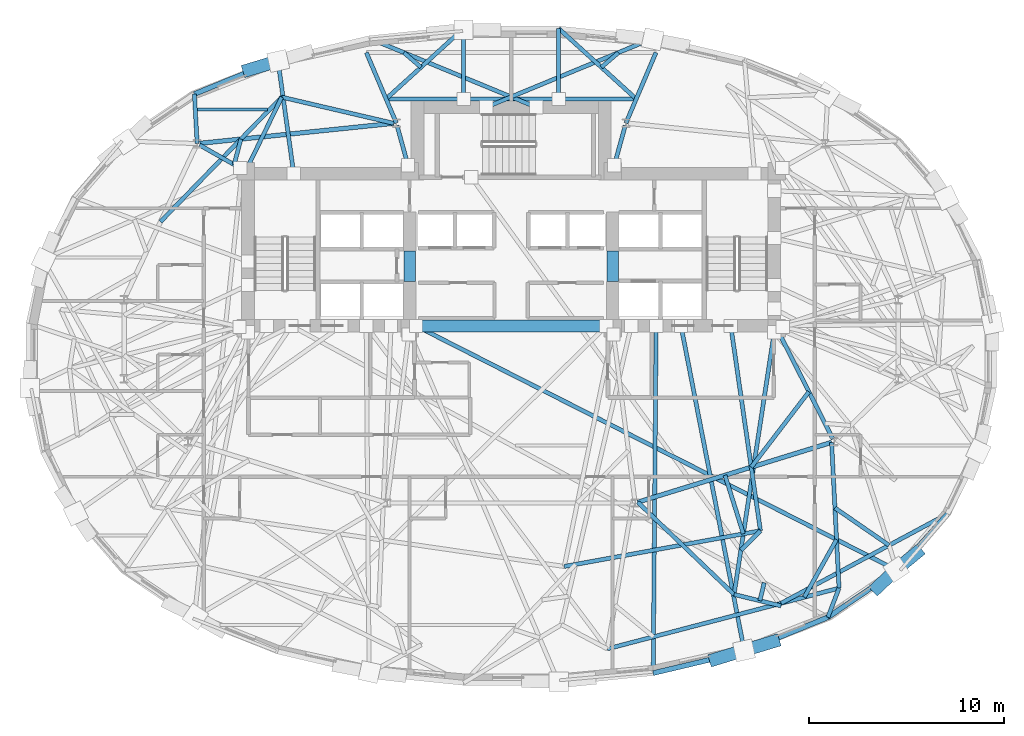
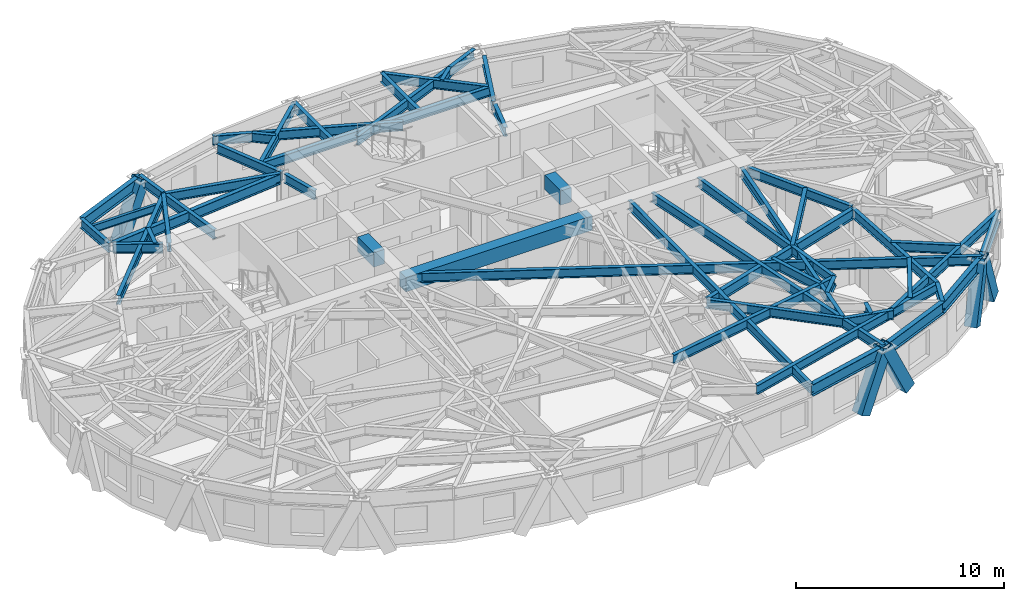
# One storey, part 3 of 14: 50 beams, 5 members.
"""IFC4 building model written with IfcOpenShell, lengths in metres."""

import ifcopenshell
import ifcopenshell.guid

model = None  # the IFC model being written
_history = None  # IfcOwnerHistory: only IFC2X3 demands one
_inside = {}  # id of a spatial element -> (the spatial element, [elements in it])
_under = {}  # id of a project, library or spatial element -> (it, [spatial elements below it])
_declared = {}  # id of a project -> (the project, [libraries it declares])
_typed = {}  # id of a type object -> (the type object, [elements of that type])
_made_of = {}  # id of a material, layer set ... -> (it, [elements and type objects made of it])


def new_model(schema):
    """Start an empty IFC model of exactly this schema.

    Asked for "IFC4X3", IfcOpenShell would pick the latest addendum, in which some entities
    have other attributes; the version numbers below select the first issue.
    IFC2X3 requires an IfcOwnerHistory on every rooted entity: one is made here for all.
    """
    global model, _history
    if schema == "IFC4X3":
        model = ifcopenshell.file(schema_version=(4, 3, 0, 0))
    else:
        model = ifcopenshell.file(schema=schema)
    _inside.clear()
    _under.clear()
    _declared.clear()
    _typed.clear()
    _made_of.clear()
    _history = None
    if model.schema == "IFC2X3":
        org = make("IfcOrganization", Name="unknown")
        user = make(
            "IfcPersonAndOrganization",
            ThePerson=make("IfcPerson", FamilyName="unknown"),
            TheOrganization=org,
        )
        app = make(
            "IfcApplication",
            ApplicationDeveloper=org,
            Version="unknown",
            ApplicationFullName="unknown",
            ApplicationIdentifier="unknown",
        )
        _history = make(
            "IfcOwnerHistory",
            OwningUser=user,
            OwningApplication=app,
            ChangeAction="ADDED",
            CreationDate=0,
        )
    return model


def make(cls, **values):
    """One entity of the class cls with the attributes given. An attribute that is None is left unset."""
    return model.create_entity(
        cls, **{name: value for name, value in values.items() if value is not None}
    )


def rooted(cls, **values):
    """An entity with a GlobalId (a new one), such as an element, a storey or a relation."""
    return make(cls, GlobalId=ifcopenshell.guid.new(), OwnerHistory=_history, **values)


def si_unit(unit_type, name, prefix=None):
    """IfcSIUnit, for example si_unit("LENGTHUNIT", "METRE", prefix="MILLI")."""
    return make("IfcSIUnit", UnitType=unit_type, Prefix=prefix, Name=name)


def assignment(units):
    """IfcUnitAssignment: the units of a project."""
    return None if units is None else make("IfcUnitAssignment", Units=units)


def point(xyz):
    """IfcCartesianPoint."""
    return None if xyz is None else make("IfcCartesianPoint", Coordinates=xyz)


def direction(xyz):
    """IfcDirection."""
    return None if xyz is None else make("IfcDirection", DirectionRatios=xyz)


def frame(location, z_axis=None, x_axis=None):
    """IfcAxis2Placement3D, a coordinate frame: its origin and axes. An axis left out is left unset."""
    return make(
        "IfcAxis2Placement3D",
        Location=point(location),
        Axis=direction(z_axis),
        RefDirection=direction(x_axis),
    )


def frame_2d(location, x_axis=None):
    """IfcAxis2Placement2D, a coordinate frame in the plane: its origin and x axis."""
    return make(
        "IfcAxis2Placement2D", Location=point(location), RefDirection=direction(x_axis)
    )


def origin():
    """The frame at (0, 0, 0) with its axes left unset."""
    return frame((0.0, 0.0, 0.0))


def origin_2d():
    """The frame at (0, 0) in the plane with its x axis left unset."""
    return frame_2d((0.0, 0.0))


def place(relative_to, where):
    """IfcLocalPlacement: puts the frame where relative to a parent placement (None: the world)."""
    return make(
        "IfcLocalPlacement", PlacementRelTo=relative_to, RelativePlacement=where
    )


def context(
    kind, dimensions, precision=None, world=None, true_north=None, identifier=None
):
    """IfcGeometricRepresentationContext, for example the 3D "Model" context."""
    return make(
        "IfcGeometricRepresentationContext",
        ContextIdentifier=identifier,
        ContextType=kind,
        CoordinateSpaceDimension=dimensions,
        Precision=precision,
        WorldCoordinateSystem=world,
        TrueNorth=true_north,
    )


def subcontext(parent, identifier, kind, view, scale=None):
    """IfcGeometricRepresentationSubContext, for example "Body" below "Model"."""
    return make(
        "IfcGeometricRepresentationSubContext",
        ContextIdentifier=identifier,
        ContextType=kind,
        ParentContext=parent,
        TargetScale=scale,
        TargetView=view,
    )


def project(units=None, contexts=None):
    """IfcProject with its units and contexts."""
    return rooted(
        "IfcProject",
        Name="project",
        RepresentationContexts=contexts,
        UnitsInContext=assignment(units),
    )


def spatial(cls, under=None, at=None, **own):
    """A site, building, storey or space (cls), placed at a placement, below another one or the project."""
    s = rooted(cls, ObjectPlacement=at, **own)
    if under is not None:
        _under.setdefault(under.id(), (under, []))[1].append(s)
    return s


def profile(cls, at=None, kind="AREA", **sizes):
    """A parametric profile (cls). Its sizes go by their IFC names, for example OverallWidth=200.0."""
    return make(cls, ProfileType=kind, Position=at, **sizes)


def rectangle(**sizes):
    """IfcRectangleProfileDef."""
    return profile("IfcRectangleProfileDef", **sizes)


def hollow_rectangle(**sizes):
    """IfcRectangleHollowProfileDef."""
    return profile("IfcRectangleHollowProfileDef", **sizes)


def i_section(**sizes):
    """IfcIShapeProfileDef."""
    return profile("IfcIShapeProfileDef", **sizes)


def extrude(swept, where, along, depth):
    """IfcExtrudedAreaSolid: the profile swept, set in the frame where, extruded along a direction by depth."""
    return make(
        "IfcExtrudedAreaSolid",
        SweptArea=swept,
        Position=where,
        ExtrudedDirection=direction(along),
        Depth=depth,
    )


def shape(context_of_items, identifier, shape_type, items):
    """IfcShapeRepresentation: the items that make up one representation, for example the "Body"."""
    return make(
        "IfcShapeRepresentation",
        ContextOfItems=context_of_items,
        RepresentationIdentifier=identifier,
        RepresentationType=shape_type,
        Items=items,
    )


def material(Name=None, Category=None):
    """IfcMaterial."""
    return make("IfcMaterial", Name=Name, Category=Category)


def material_profile(
    of_material, cross_section, Name=None, Category=None, Priority=None
):
    """IfcMaterialProfile: a cross section and its material."""
    return make(
        "IfcMaterialProfile",
        Name=Name,
        Material=of_material,
        Profile=cross_section,
        Priority=Priority,
        Category=Category,
    )


def profile_set(profiles, Name=None, composite=None):
    """IfcMaterialProfileSet."""
    return make(
        "IfcMaterialProfileSet",
        Name=Name,
        MaterialProfiles=profiles,
        CompositeProfile=composite,
    )


def made_of(thing, what):
    """Note that an element or type object is made of a material, layer set ...; save() writes the relation."""
    if what is not None:
        _made_of.setdefault(what.id(), (what, []))[1].append(thing)
    return thing


def type_object(cls, material=None, **own):
    """A type object (cls), such as IfcWallType, which elements share."""
    return made_of(rooted(cls, **own), material)


def element(
    cls,
    number,
    at=None,
    inside=None,
    cuts=None,
    type_object=None,
    material=None,
    context=None,
    identifier="Body",
    shape_type=None,
    held_by="IfcProductDefinitionShape",
    body=None,
    shapes=None,
    **own,
):
    """One element of the class cls, such as IfcWall. Its Tag is "e" and its number.

    at: its placement. inside: the storey or other place that contains it. cuts: it is an
    opening in that element (IfcRelVoidsElement). A single representation is given by context,
    identifier, shape_type and body (its items); several are given by shapes. held_by: the class
    of the entity that holds the representations. save() writes the other relations.
    """
    e = rooted(cls, Tag="e%d" % number, ObjectPlacement=at, **own)
    if body is not None:
        shapes = [shape(context, identifier, shape_type, body)]
    if shapes is not None:
        e.Representation = make(held_by, Representations=shapes)
    if inside is not None:
        _inside.setdefault(inside.id(), (inside, []))[1].append(e)
    if cuts is not None:
        rooted(
            "IfcRelVoidsElement", RelatingBuildingElement=cuts, RelatedOpeningElement=e
        )
    if type_object is not None:
        _typed.setdefault(type_object.id(), (type_object, []))[1].append(e)
    return made_of(e, material)


def aggregate(whole, parts):
    """IfcRelAggregates: a whole, such as a stair, and the parts it consists of."""
    return rooted("IfcRelAggregates", RelatingObject=whole, RelatedObjects=parts)


def save(model, path):
    """Write the relations noted so far, then the file.

    IfcRelAggregates (storeys below a building ...), IfcRelContainedInSpatialStructure (elements
    in a storey), IfcRelDefinesByType, IfcRelAssociatesMaterial and IfcRelDeclares: one each for
    every whole, place, type object, material and project.
    """
    for whole, parts in _under.values():
        aggregate(whole, parts)
    for where, things in _inside.values():
        rooted(
            "IfcRelContainedInSpatialStructure",
            RelatedElements=things,
            RelatingStructure=where,
        )
    for kind, things in _typed.values():
        rooted("IfcRelDefinesByType", RelatedObjects=things, RelatingType=kind)
    for what, things in _made_of.values():
        rooted("IfcRelAssociatesMaterial", RelatedObjects=things, RelatingMaterial=what)
    for by, libraries in _declared.values():
        rooted("IfcRelDeclares", RelatingContext=by, RelatedDefinitions=libraries)
    model.write(path)


model = new_model("IFC4")

# Units and contexts
model_context = context("Model", 3, precision=1e-05, world=origin(), true_north=direction((0.0, 1.0)))
body_context = subcontext(model_context, "Body", "Model", "MODEL_VIEW")
ifc_project = project(units=[si_unit("LENGTHUNIT", "METRE"), si_unit("AREAUNIT", "SQUARE_METRE"), si_unit("VOLUMEUNIT", "CUBIC_METRE"), si_unit("PLANEANGLEUNIT", "RADIAN"), si_unit("MASSUNIT", "GRAM", prefix="KILO")], contexts=[model_context])

# Site, building, storey
site_placement = place(None, origin())
site = spatial("IfcSite", under=ifc_project, at=site_placement, CompositionType="ELEMENT")
building_placement = place(site_placement, origin())
building = spatial("IfcBuilding", under=site, at=building_placement, Name="Keldmark Tower", CompositionType="ELEMENT")
storey_placement = place(building_placement, frame((0.0, 0.0, 153.39990234375)))
storey = spatial("IfcBuildingStorey", under=building, at=storey_placement, Name="L41", CompositionType="ELEMENT", Elevation=153.39990234375)

# Beams
ifc_material_1 = material(Name="Steel ASTM A992 Grade 50", Category="steel")
ifc_material_profile_1 = material_profile(ifc_material_1, i_section(OverallWidth=0.153076171875, OverallDepth=0.455078125, WebThickness=0.008056640625, FlangeThickness=0.01318359375, at=origin_2d()), Name="W18X40")
ifc_profile_set_1 = profile_set([ifc_material_profile_1], Name="Steel ASTM A992 Grade 50")
beam_type_1 = type_object("IfcBeamType", Name="Composite Floor Joist W18X40", PredefinedType="JOIST", material=ifc_profile_set_1)
beam_1_placement = place(storey_placement, frame((-16.082763671875, 12.6201171875, 2.79248046875), z_axis=(1.0, 0.0, 0.0), x_axis=(0.0, 1.0, 0.0)))
element("IfcBeam", 1, at=beam_1_placement, inside=storey, type_object=beam_type_1, Name="L41 Composite Floor Joist J08", PredefinedType="JOIST", context=body_context, shape_type="SweptSolid", body=[
    extrude(i_section(OverallWidth=0.153076171875, OverallDepth=0.455078125, WebThickness=0.008056640625, FlangeThickness=0.01318359375, at=origin_2d()), origin(), (0.0, 0.0, 1.0), 3.591064453125),
])
ifc_material_2 = material(Name="Concrete C50/60", Category="concrete")
ifc_material_profile_2 = material_profile(ifc_material_2, rectangle(XDim=0.60009765625, YDim=0.85009765625, at=origin_2d()), Name="RCB600X850")
ifc_profile_set_2 = profile_set([ifc_material_profile_2], Name="Concrete C50/60")
beam_type_2 = type_object("IfcBeamType", Name="Core Coupling Beam RCB600X850", PredefinedType="USERDEFINED", material=ifc_profile_set_2)
for number, where, z_axis, x_axis, name in (
    (2, (-5.199951171875, 3.800048828125, 2.59521484375), (0.0, 1.0, 0.0), (-1.0, 0.0, 0.0), "L41 West Core Coupling Beam"),
    (3, (5.199951171875, 3.800048828125, 2.59521484375), (0.0, 1.0, 0.0), (-1.0, 0.0, 0.0), "L41 East Core Coupling Beam"),
):
    element("IfcBeam", number, at=place(storey_placement, frame(where, z_axis=z_axis, x_axis=x_axis)), inside=storey, type_object=beam_type_2, Name=name, ObjectType="COUPLING BEAM", PredefinedType="USERDEFINED", context=body_context, shape_type="SweptSolid", body=[
        extrude(rectangle(XDim=0.60009765625, YDim=0.85009765625, at=origin_2d()), origin(), (0.0, 0.0, 1.0), 1.550048828125),
    ])
beam_2_placement = place(storey_placement, frame((-5.199951171875, 1.52490234375, 2.59521484375), z_axis=(1.0, 0.0, 0.0), x_axis=(0.0, 1.0, 0.0)))
element("IfcBeam", 4, at=beam_2_placement, inside=storey, type_object=beam_type_2, Name="L41 Central South Core Coupling Beam", ObjectType="COUPLING BEAM", PredefinedType="USERDEFINED", context=body_context, shape_type="SweptSolid", body=[
    extrude(rectangle(XDim=0.60009765625, YDim=0.85009765625, at=origin_2d()), origin(), (0.0, 0.0, 1.0), 10.39990234375),
])

# Members
ifc_material_3 = material(Name="Steel ASTM A572 Grade 50", Category="steel")
ifc_material_profile_3 = material_profile(ifc_material_3, hollow_rectangle(XDim=0.64990234375, YDim=0.64990234375, WallThickness=0.0400390625, at=origin_2d()), Name="BOX650X650X40")
ifc_profile_set_3 = profile_set([ifc_material_profile_3], Name="Steel ASTM A572 Grade 50")
member_type = type_object("IfcMemberType", Name="Diagrid Zone 3 Brace BOX650X650X40", PredefinedType="BRACE", material=ifc_profile_set_3)
member_1_placement = place(storey_placement, frame((-13.458740234375, 14.634521484375, -0.260009765625), z_axis=(0.433831811118, 0.131457924988, 0.891352216366), x_axis=(-0.289994746801, 0.957028237216, 0.0)))
element("IfcMember", 5, at=member_1_placement, inside=storey, type_object=member_type, Name="L41 Perimeter Diagrid Brace 06A", PredefinedType="BRACE", context=body_context, shape_type="SweptSolid", body=[
    extrude(hollow_rectangle(XDim=0.64990234375, YDim=0.64990234375, WallThickness=0.0400390625, at=origin_2d()), origin(), (0.0, 0.0, 1.0), 3.54541015625),
])
member_2_placement = place(storey_placement, frame((10.43701171875, -15.55029296875, -0.260009765625), z_axis=(0.42398966693, 0.128817507431, 0.896459040958), x_axis=(-0.29070136172, 0.956813836801, 0.0)))
element("IfcMember", 6, at=member_2_placement, inside=storey, type_object=member_type, Name="L41 Perimeter Diagrid Brace 13B", PredefinedType="BRACE", context=body_context, shape_type="SweptSolid", body=[
    extrude(hollow_rectangle(XDim=0.64990234375, YDim=0.64990234375, WallThickness=0.0400390625, at=origin_2d()), origin(), (0.0, 0.0, 1.0), 3.525146484375),
])
member_3_placement = place(storey_placement, frame((13.458740234375, -14.634521484375, -0.260009765625), z_axis=(-0.433831811118, -0.131457924988, 0.891352216366), x_axis=(0.289994746801, -0.957028237216, 0.0)))
element("IfcMember", 7, at=member_3_placement, inside=storey, type_object=member_type, Name="L41 Perimeter Diagrid Brace 14A", PredefinedType="BRACE", context=body_context, shape_type="SweptSolid", body=[
    extrude(hollow_rectangle(XDim=0.64990234375, YDim=0.64990234375, WallThickness=0.0400390625, at=origin_2d()), origin(), (0.0, 0.0, 1.0), 3.54541015625),
])
member_4_placement = place(storey_placement, frame((18.742919921875, -11.875, -0.260009765625), z_axis=(0.286746084884, 0.269201798789, 0.919405826788), x_axis=(-0.684451580802, 0.729058319709, 0.0)))
element("IfcMember", 8, at=member_4_placement, inside=storey, type_object=member_type, Name="L41 Perimeter Diagrid Brace 14B", PredefinedType="BRACE", context=body_context, shape_type="SweptSolid", body=[
    extrude(hollow_rectangle(XDim=0.64990234375, YDim=0.64990234375, WallThickness=0.0400390625, at=origin_2d()), origin(), (0.0, 0.0, 1.0), 3.437255859375),
])
member_5_placement = place(storey_placement, frame((20.77490234375, -10.089111328125, -0.260009765625), z_axis=(-0.306332122506, -0.25236945, 0.917861804101), x_axis=(0.635851274984, -0.771811606612, 0.0)))
element("IfcMember", 9, at=member_5_placement, inside=storey, type_object=member_type, Name="L41 Perimeter Diagrid Brace 15A", PredefinedType="BRACE", context=body_context, shape_type="SweptSolid", body=[
    extrude(hollow_rectangle(XDim=0.64990234375, YDim=0.64990234375, WallThickness=0.0400390625, at=origin_2d()), origin(), (0.0, 0.0, 1.0), 3.44287109375),
])

# Beams
ifc_material_4 = material(Name="Steel ASTM A992 Grade 50", Category="steel")
ifc_material_profile_4 = material_profile(ifc_material_4, i_section(OverallWidth=0.22900390625, OverallDepth=0.612060546875, WebThickness=0.011962890625, FlangeThickness=0.01953125, at=origin_2d()), Name="W24X84")
ifc_profile_set_4 = profile_set([ifc_material_profile_4], Name="Steel ASTM A992 Grade 50")
beam_type_3 = type_object("IfcBeamType", Name="Primary Floor Girder W24X84", PredefinedType="BEAM", material=ifc_profile_set_4)
beam_3_placement = place(storey_placement, frame((-6.01953125, 11.90087890625, 2.714111328125), z_axis=(-0.994702930931, -0.102791435423, 0.0), x_axis=(0.102791435423, -0.994702930931, 0.0)))
element("IfcBeam", 10, at=beam_3_placement, inside=storey, type_object=beam_type_3, Name="L41 Floor Ring Girder FG-R04", PredefinedType="BEAM", context=body_context, shape_type="SweptSolid", body=[
    extrude(i_section(OverallWidth=0.22900390625, OverallDepth=0.612060546875, WebThickness=0.011962890625, FlangeThickness=0.01953125, at=origin_2d()), origin(), (0.0, 0.0, 1.0), 9.975341796875),
])
beam_4_placement = place(storey_placement, frame((6.485107421875, -7.5048828125, 2.714111328125), z_axis=(0.955494563145, 0.295008711398, 0.0), x_axis=(-0.295008711398, 0.955494563145, 0.0)))
element("IfcBeam", 11, at=beam_4_placement, inside=storey, type_object=beam_type_3, Name="L41 Floor Ring Girder FG-R10", PredefinedType="BEAM", context=body_context, shape_type="SweptSolid", body=[
    extrude(i_section(OverallWidth=0.22900390625, OverallDepth=0.612060546875, WebThickness=0.011962890625, FlangeThickness=0.01953125, at=origin_2d()), origin(), (0.0, 0.0, 1.0), 10.39013671875),
])
ifc_material_5 = material(Name="Steel ASTM A992 Grade 50", Category="steel")
ifc_material_profile_5 = material_profile(ifc_material_5, i_section(OverallWidth=0.2099609375, OverallDepth=0.537109375, WebThickness=0.010986328125, FlangeThickness=0.017333984375, at=origin_2d()), Name="W21X68")
ifc_profile_set_5 = profile_set([ifc_material_profile_5], Name="Steel ASTM A992 Grade 50")
beam_type_4 = type_object("IfcBeamType", Name="Radial Tie Girder W21X68", PredefinedType="BEAM", material=ifc_profile_set_5)
for number, where, z_axis, x_axis, name in (
    (12, (5.843017578125, 11.7802734375, 2.751708984375), (-0.265992411, -0.963975122755, 0.0), (0.963975122755, -0.265992411, 0.0), "L41 Floor Radial Girder FG-C03"),
    (13, (-5.843017578125, 11.7802734375, 2.751708984375), (0.265992411, -0.963975122755, 0.0), (0.963975122755, 0.265992411, 0.0), "L41 Floor Radial Girder FG-C04"),
):
    element("IfcBeam", number, at=place(storey_placement, frame(where, z_axis=z_axis, x_axis=x_axis)), inside=storey, type_object=beam_type_4, Name=name, PredefinedType="BEAM", context=body_context, shape_type="SweptSolid", body=[
        extrude(i_section(OverallWidth=0.2099609375, OverallDepth=0.537109375, WebThickness=0.010986328125, FlangeThickness=0.017333984375, at=origin_2d()), origin(), (0.0, 0.0, 1.0), 2.09716796875),
    ])
beam_5_placement = place(storey_placement, frame((-15.959716796875, 10.791748046875, 2.751708984375), z_axis=(0.86929527307, -0.494293160197, 0.0), x_axis=(0.494293160197, 0.86929527307, 0.0)))
element("IfcBeam", 14, at=beam_5_placement, inside=storey, type_object=beam_type_4, Name="L41 Floor Radial Girder FG-C05", PredefinedType="BEAM", context=body_context, shape_type="SweptSolid", body=[
    extrude(i_section(OverallWidth=0.2099609375, OverallDepth=0.537109375, WebThickness=0.010986328125, FlangeThickness=0.017333984375, at=origin_2d()), origin(), (0.0, 0.0, 1.0), 2.39453125),
])
beam_6_placement = place(storey_placement, frame((16.4833984375, -4.273681640625, 2.751708984375), z_axis=(-0.453036691775, 0.891491870914, 0.0), x_axis=(-0.891491870914, -0.453036691775, 0.0)))
element("IfcBeam", 15, at=beam_6_placement, inside=storey, type_object=beam_type_4, Name="L41 Floor Radial Girder FG-C11", PredefinedType="BEAM", context=body_context, shape_type="SweptSolid", body=[
    extrude(i_section(OverallWidth=0.2099609375, OverallDepth=0.537109375, WebThickness=0.010986328125, FlangeThickness=0.017333984375, at=origin_2d()), origin(), (0.0, 0.0, 1.0), 6.044189453125),
])
beam_7_placement = place(storey_placement, frame((15.251220703125, -1.848876953125, 2.751708984375), z_axis=(-0.607668127979, -0.794191064064, 0.0), x_axis=(0.794191064064, -0.607668127979, 0.0)))
element("IfcBeam", 16, at=beam_7_placement, inside=storey, type_object=beam_type_4, Name="L41 Framing Pin Header PH-008", PredefinedType="BEAM", context=body_context, shape_type="SweptSolid", body=[
    extrude(i_section(OverallWidth=0.2099609375, OverallDepth=0.537109375, WebThickness=0.010986328125, FlangeThickness=0.017333984375, at=origin_2d()), origin(), (0.0, 0.0, 1.0), 4.862548828125),
])
beam_8_placement = place(storey_placement, frame((11.25, 1.52490234375, 2.751708984375), z_axis=(0.143133216066, -0.989703431569, 0.0), x_axis=(0.989703431569, 0.143133216066, 0.0)))
element("IfcBeam", 17, at=beam_8_placement, inside=storey, type_object=beam_type_4, Name="L41 Sub-Ring Step Girder STP2-M11", PredefinedType="BEAM", context=body_context, shape_type="SweptSolid", body=[
    extrude(i_section(OverallWidth=0.2099609375, OverallDepth=0.537109375, WebThickness=0.010986328125, FlangeThickness=0.017333984375, at=origin_2d()), origin(), (0.0, 0.0, 1.0), 10.600830078125),
])
beam_9_placement = place(storey_placement, frame((2.72119140625, -10.796142578125, 2.751708984375), z_axis=(0.983822057405, 0.179148428301, 0.0), x_axis=(-0.179148428301, 0.983822057405, 0.0)))
element("IfcBeam", 18, at=beam_9_placement, inside=storey, type_object=beam_type_4, Name="L41 Perimeter Collector Ring Beam CRG2-M10", PredefinedType="BEAM", context=body_context, shape_type="SweptSolid", body=[
    extrude(i_section(OverallWidth=0.2099609375, OverallDepth=0.537109375, WebThickness=0.010986328125, FlangeThickness=0.017333984375, at=origin_2d()), origin(), (0.0, 0.0, 1.0), 10.21142578125),
])
beam_10_placement = place(storey_placement, frame((-14.1904296875, 9.78564453125, 2.751708984375), z_axis=(0.257584005421, 0.96625590821, 0.0), x_axis=(-0.96625590821, 0.257584005421, 0.0)))
element("IfcBeam", 19, at=beam_10_placement, inside=storey, type_object=beam_type_4, Name="L41 Framing Pin Header PH-014", PredefinedType="BEAM", context=body_context, shape_type="SweptSolid", body=[
    extrude(i_section(OverallWidth=0.2099609375, OverallDepth=0.537109375, WebThickness=0.010986328125, FlangeThickness=0.017333984375, at=origin_2d()), origin(), (0.0, 0.0, 1.0), 1.3525390625),
])
beam_11_placement = place(storey_placement, frame((-17.954833984375, 6.864990234375, 2.751708984375), z_axis=(0.69732485831, 0.716755217619, 0.0), x_axis=(-0.716755217619, 0.69732485831, 0.0)))
element("IfcBeam", 20, at=beam_11_placement, inside=storey, type_object=beam_type_4, Name="L41 Intermediate Radial Step Girder RT-11M", PredefinedType="BEAM", context=body_context, shape_type="SweptSolid", body=[
    extrude(i_section(OverallWidth=0.2099609375, OverallDepth=0.537109375, WebThickness=0.010986328125, FlangeThickness=0.017333984375, at=origin_2d()), origin(), (0.0, 0.0, 1.0), 8.89599609375),
])
beam_12_placement = place(storey_placement, frame((-13.60009765625, 9.449951171875, 2.751708984375), z_axis=(0.438277657293, 0.898839638154, 0.0), x_axis=(-0.898839638154, 0.438277657293, 0.0)))
element("IfcBeam", 21, at=beam_12_placement, inside=storey, type_object=beam_type_4, Name="L41 Local Collector Chord RT-11C", PredefinedType="BEAM", context=body_context, shape_type="SweptSolid", body=[
    extrude(i_section(OverallWidth=0.2099609375, OverallDepth=0.537109375, WebThickness=0.010986328125, FlangeThickness=0.017333984375, at=origin_2d()), origin(), (0.0, 0.0, 1.0), 4.218017578125),
])
beam_13_placement = place(storey_placement, frame((-16.08154296875, 10.861083984375, 2.751708984375), z_axis=(-0.055326383246, 0.998468322641, 0.0), x_axis=(-0.998468322641, -0.055326383246, 0.0)))
element("IfcBeam", 22, at=beam_13_placement, inside=storey, type_object=beam_type_4, Name="L41 Perimeter Column Bracket RT-12", PredefinedType="BEAM", context=body_context, shape_type="SweptSolid", body=[
    extrude(i_section(OverallWidth=0.2099609375, OverallDepth=0.537109375, WebThickness=0.010986328125, FlangeThickness=0.017333984375, at=origin_2d()), origin(), (0.0, 0.0, 1.0), 2.541748046875),
])
beam_14_placement = place(storey_placement, frame((10.95263671875, -6.12548828125, 2.751708984375), z_axis=(0.299008797042, -0.95425035462, 0.0), x_axis=(0.95425035462, 0.299008797042, 0.0)))
element("IfcBeam", 23, at=beam_14_placement, inside=storey, type_object=beam_type_4, Name="L41 Framing Pin Header PH-028", PredefinedType="BEAM", context=body_context, shape_type="SweptSolid", body=[
    extrude(i_section(OverallWidth=0.2099609375, OverallDepth=0.537109375, WebThickness=0.010986328125, FlangeThickness=0.017333984375, at=origin_2d()), origin(), (0.0, 0.0, 1.0), 3.144287109375),
])
beam_15_placement = place(storey_placement, frame((13.47509765625, 1.199951171875, 2.751708984375), z_axis=(-0.151463098325, -0.988462912732, 0.0), x_axis=(0.988462912732, -0.151463098325, 0.0)))
element("IfcBeam", 24, at=beam_15_placement, inside=storey, type_object=beam_type_4, Name="L41 Intermediate Radial Step Girder RT-27M", PredefinedType="BEAM", context=body_context, shape_type="SweptSolid", body=[
    extrude(i_section(OverallWidth=0.2099609375, OverallDepth=0.537109375, WebThickness=0.010986328125, FlangeThickness=0.017333984375, at=origin_2d()), origin(), (0.0, 0.0, 1.0), 13.588134765625),
])
beam_16_placement = place(storey_placement, frame((6.485107421875, -7.5048828125, 2.751708984375), z_axis=(0.721975558677, -0.691918559278, 0.0), x_axis=(0.691918559278, 0.721975558677, 0.0)))
element("IfcBeam", 25, at=beam_16_placement, inside=storey, type_object=beam_type_4, Name="L41 Local Collector Chord RT-27C", PredefinedType="BEAM", context=body_context, shape_type="SweptSolid", body=[
    extrude(i_section(OverallWidth=0.2099609375, OverallDepth=0.537109375, WebThickness=0.010986328125, FlangeThickness=0.017333984375, at=origin_2d()), origin(), (0.0, 0.0, 1.0), 6.8310546875),
])
beam_17_placement = place(storey_placement, frame((8.699951171875, 1.52490234375, 2.751708984375), z_axis=(0.191209223664, -0.98154930227, 0.0), x_axis=(0.98154930227, 0.191209223664, 0.0)))
element("IfcBeam", 26, at=beam_17_placement, inside=storey, type_object=beam_type_4, Name="L41 Perimeter Radial Tie Girder RT-27", PredefinedType="BEAM", context=body_context, shape_type="SweptSolid", body=[
    extrude(i_section(OverallWidth=0.2099609375, OverallDepth=0.537109375, WebThickness=0.010986328125, FlangeThickness=0.017333984375, at=origin_2d()), origin(), (0.0, 0.0, 1.0), 16.991943359375),
])
beam_18_placement = place(storey_placement, frame((12.767333984375, -8.966796875, 2.751708984375), z_axis=(-0.707536816207, -0.706676484476, 0.0), x_axis=(0.706676484476, -0.707536816207, 0.0)))
element("IfcBeam", 27, at=beam_18_placement, inside=storey, type_object=beam_type_4, Name="L41 Framing Pin Header PH-029", PredefinedType="BEAM", context=body_context, shape_type="SweptSolid", body=[
    extrude(i_section(OverallWidth=0.2099609375, OverallDepth=0.537109375, WebThickness=0.010986328125, FlangeThickness=0.017333984375, at=origin_2d()), origin(), (0.0, 0.0, 1.0), 1.4189453125),
])
beam_19_placement = place(storey_placement, frame((11.4169921875, -12.2314453125, 2.751708984375), z_axis=(0.971730083721, -0.236094566627, 0.0), x_axis=(0.236094566627, 0.971730083721, 0.0)))
element("IfcBeam", 28, at=beam_19_placement, inside=storey, type_object=beam_type_4, Name="L41 Local Collector Chord RT-28C", PredefinedType="BEAM", context=body_context, shape_type="SweptSolid", body=[
    extrude(i_section(OverallWidth=0.2099609375, OverallDepth=0.537109375, WebThickness=0.010986328125, FlangeThickness=0.017333984375, at=origin_2d()), origin(), (0.0, 0.0, 1.0), 2.472412109375),
])
beam_20_placement = place(storey_placement, frame((12.73828125, -12.552490234375, 2.751708984375), z_axis=(0.234556912261, 0.972102389109, 0.0), x_axis=(-0.972102389109, 0.234556912261, 0.0)))
element("IfcBeam", 29, at=beam_20_placement, inside=storey, type_object=beam_type_4, Name="L41 Framing Pin Header PH-030", PredefinedType="BEAM", context=body_context, shape_type="SweptSolid", body=[
    extrude(i_section(OverallWidth=0.2099609375, OverallDepth=0.537109375, WebThickness=0.010986328125, FlangeThickness=0.017333984375, at=origin_2d()), origin(), (0.0, 0.0, 1.0), 0.951416015625),
])
beam_21_placement = place(storey_placement, frame((4.9267578125, -15.017333984375, 2.751708984375), z_axis=(0.967298437059, 0.253640954229, 0.0), x_axis=(-0.253640954229, 0.967298437059, 0.0)))
element("IfcBeam", 30, at=beam_21_placement, inside=storey, type_object=beam_type_4, Name="L41 Intermediate Radial Step Girder RT-29M", PredefinedType="BEAM", context=body_context, shape_type="SweptSolid", body=[
    extrude(i_section(OverallWidth=0.2099609375, OverallDepth=0.537109375, WebThickness=0.010986328125, FlangeThickness=0.017333984375, at=origin_2d()), origin(), (0.0, 0.0, 1.0), 12.267578125),
])
beam_22_placement = place(storey_placement, frame((16.22216796875, -13.39892578125, 2.751708984375), z_axis=(0.357208003794, 0.934024861567, 0.0), x_axis=(-0.934024861567, 0.357208003794, 0.0)))
element("IfcBeam", 31, at=beam_22_placement, inside=storey, type_object=beam_type_4, Name="L41 Local Collector Chord RT-29C", PredefinedType="BEAM", context=body_context, shape_type="SweptSolid", body=[
    extrude(i_section(OverallWidth=0.2099609375, OverallDepth=0.537109375, WebThickness=0.010986328125, FlangeThickness=0.017333984375, at=origin_2d()), origin(), (0.0, 0.0, 1.0), 1.5986328125),
])
for number, where, z_axis, x_axis, name in (
    (32, (-5.880126953125, 11.915283203125, 2.751708984375), (-0.391670719142, 0.920105454699, 0.0), (-0.920105454699, -0.391670719142, 0.0), "L41 North Column Cantilever Girder West FG-TCN-W"),
    (33, (5.880126953125, 11.915283203125, 2.751708984375), (0.391670719142, 0.920105454699, 0.0), (-0.920105454699, 0.391670719142, 0.0), "L41 North Column Cantilever Girder East FG-TCN-E"),
):
    element("IfcBeam", number, at=place(storey_placement, frame(where, z_axis=z_axis, x_axis=x_axis)), inside=storey, type_object=beam_type_4, Name=name, PredefinedType="BEAM", context=body_context, shape_type="SweptSolid", body=[
        extrude(i_section(OverallWidth=0.2099609375, OverallDepth=0.537109375, WebThickness=0.010986328125, FlangeThickness=0.017333984375, at=origin_2d()), origin(), (0.0, 0.0, 1.0), 3.920166015625),
    ])
beam_23_placement = place(storey_placement, frame((-6.40576171875, 13.14990234375, 2.751708984375), z_axis=(1.0, 0.0, 0.0), x_axis=(0.0, 1.0, 0.0)))
element("IfcBeam", 34, at=beam_23_placement, inside=storey, type_object=beam_type_4, Name="L41 North Inner Header Girder FG-TCN-H0", PredefinedType="BEAM", context=body_context, shape_type="SweptSolid", body=[
    extrude(i_section(OverallWidth=0.2099609375, OverallDepth=0.537109375, WebThickness=0.010986328125, FlangeThickness=0.017333984375, at=origin_2d()), origin(), (0.0, 0.0, 1.0), 12.8115234375),
])
for number, where, z_axis, x_axis, name in (
    (35, (2.434814453125, 13.14990234375, 2.751708984375), (0.0, 1.0, 0.0), (-1.0, 0.0, 0.0), "L41 North Continuous Radial Girder RT-08N"),
    (36, (-2.434814453125, 13.14990234375, 2.751708984375), (0.0, 1.0, 0.0), (-1.0, 0.0, 0.0), "L41 North Continuous Radial Girder RT-09N"),
):
    element("IfcBeam", number, at=place(storey_placement, frame(where, z_axis=z_axis, x_axis=x_axis)), inside=storey, type_object=beam_type_4, Name=name, PredefinedType="BEAM", context=body_context, shape_type="SweptSolid", body=[
        extrude(i_section(OverallWidth=0.2099609375, OverallDepth=0.537109375, WebThickness=0.010986328125, FlangeThickness=0.017333984375, at=origin_2d()), origin(), (0.0, 0.0, 1.0), 3.607421875),
    ])
beam_24_placement = place(storey_placement, frame((6.40576171875, 13.14990234375, 2.751708984375), z_axis=(-0.740174771415, 0.672414535655, 0.0), x_axis=(-0.672414535655, -0.740174771415, 0.0)))
element("IfcBeam", 37, at=beam_24_placement, inside=storey, type_object=beam_type_4, Name="L41 Straddling Support Chord RT-07RB", PredefinedType="BEAM", context=body_context, shape_type="SweptSolid", body=[
    extrude(i_section(OverallWidth=0.2099609375, OverallDepth=0.537109375, WebThickness=0.010986328125, FlangeThickness=0.017333984375, at=origin_2d()), origin(), (0.0, 0.0, 1.0), 5.364990234375),
])
beam_25_placement = place(storey_placement, frame((4.618896484375, 14.773193359375, 2.751708984375), z_axis=(0.759496021578, 0.650511947013, 0.0), x_axis=(-0.650511947013, 0.759496021578, 0.0)))
element("IfcBeam", 38, at=beam_25_placement, inside=storey, type_object=beam_type_4, Name="L41 Framing Pin Header PH-035", PredefinedType="BEAM", context=body_context, shape_type="SweptSolid", body=[
    extrude(i_section(OverallWidth=0.2099609375, OverallDepth=0.537109375, WebThickness=0.010986328125, FlangeThickness=0.017333984375, at=origin_2d()), origin(), (0.0, 0.0, 1.0), 1.1513671875),
])
beam_26_placement = place(storey_placement, frame((-1.28125, 12.72509765625, 2.751708984375), z_axis=(0.924324326409, 0.381607834835, 0.0), x_axis=(-0.381607834835, 0.924324326409, 0.0)))
element("IfcBeam", 39, at=beam_26_placement, inside=storey, type_object=beam_type_4, Name="L41 Perimeter Radial Tie Girder RT-07R", PredefinedType="BEAM", context=body_context, shape_type="SweptSolid", body=[
    extrude(i_section(OverallWidth=0.2099609375, OverallDepth=0.537109375, WebThickness=0.010986328125, FlangeThickness=0.017333984375, at=origin_2d()), origin(), (0.0, 0.0, 1.0), 9.257568359375),
])
beam_27_placement = place(storey_placement, frame((-2.434814453125, 16.75732421875, 2.751708984375), z_axis=(-0.740174771415, -0.672414535655, 0.0), x_axis=(0.672414535655, -0.740174771415, 0.0)))
element("IfcBeam", 40, at=beam_27_placement, inside=storey, type_object=beam_type_4, Name="L41 Straddling Support Chord RT-10RB", PredefinedType="BEAM", context=body_context, shape_type="SweptSolid", body=[
    extrude(i_section(OverallWidth=0.2099609375, OverallDepth=0.537109375, WebThickness=0.010986328125, FlangeThickness=0.017333984375, at=origin_2d()), origin(), (0.0, 0.0, 1.0), 5.364990234375),
])
beam_28_placement = place(storey_placement, frame((-4.618896484375, 14.773193359375, 2.751708984375), z_axis=(-0.759496021578, 0.650511947013, 0.0), x_axis=(-0.650511947013, -0.759496021578, 0.0)))
element("IfcBeam", 41, at=beam_28_placement, inside=storey, type_object=beam_type_4, Name="L41 Framing Pin Header PH-036", PredefinedType="BEAM", context=body_context, shape_type="SweptSolid", body=[
    extrude(i_section(OverallWidth=0.2099609375, OverallDepth=0.537109375, WebThickness=0.010986328125, FlangeThickness=0.017333984375, at=origin_2d()), origin(), (0.0, 0.0, 1.0), 1.1513671875),
])
beam_29_placement = place(storey_placement, frame((1.28125, 12.72509765625, 2.751708984375), z_axis=(-0.924324326409, 0.381607834835, 0.0), x_axis=(-0.381607834835, -0.924324326409, 0.0)))
element("IfcBeam", 42, at=beam_29_placement, inside=storey, type_object=beam_type_4, Name="L41 Perimeter Radial Tie Girder RT-10R", PredefinedType="BEAM", context=body_context, shape_type="SweptSolid", body=[
    extrude(i_section(OverallWidth=0.2099609375, OverallDepth=0.537109375, WebThickness=0.010986328125, FlangeThickness=0.017333984375, at=origin_2d()), origin(), (0.0, 0.0, 1.0), 9.257568359375),
])
beam_30_placement = place(storey_placement, frame((-6.01953125, 11.90087890625, 2.751708984375), z_axis=(-0.973732802798, 0.227693716985, 0.0), x_axis=(-0.227693716985, -0.973732802798, 0.0)))
element("IfcBeam", 43, at=beam_30_placement, inside=storey, type_object=beam_type_4, Name="L41 Straddling Support Chord RT-11RB", PredefinedType="BEAM", context=body_context, shape_type="SweptSolid", body=[
    extrude(i_section(OverallWidth=0.2099609375, OverallDepth=0.537109375, WebThickness=0.010986328125, FlangeThickness=0.017333984375, at=origin_2d()), origin(), (0.0, 0.0, 1.0), 5.886474609375),
])
beam_31_placement = place(storey_placement, frame((-11.1357421875, 9.324951171875, 2.751708984375), z_axis=(-0.138185622209, 0.990406347826, 0.0), x_axis=(-0.990406347826, -0.138185622209, 0.0)))
element("IfcBeam", 44, at=beam_31_placement, inside=storey, type_object=beam_type_4, Name="L41 Perimeter Radial Tie Girder RT-11R", PredefinedType="BEAM", context=body_context, shape_type="SweptSolid", body=[
    extrude(i_section(OverallWidth=0.2099609375, OverallDepth=0.537109375, WebThickness=0.010986328125, FlangeThickness=0.017333984375, at=origin_2d()), origin(), (0.0, 0.0, 1.0), 5.885009765625),
])
beam_32_placement = place(storey_placement, frame((7.425048828125, 1.52490234375, 2.751708984375), z_axis=(-0.008401911069, -0.999964703322, 0.0), x_axis=(0.999964703322, -0.008401911069, 0.0)))
element("IfcBeam", 45, at=beam_32_placement, inside=storey, type_object=beam_type_4, Name="L41 Perimeter Radial Tie Girder RT-26R", PredefinedType="BEAM", context=body_context, shape_type="SweptSolid", body=[
    extrude(i_section(OverallWidth=0.2099609375, OverallDepth=0.537109375, WebThickness=0.010986328125, FlangeThickness=0.017333984375, at=origin_2d()), origin(), (0.0, 0.0, 1.0), 17.783447265625),
])
beam_33_placement = place(storey_placement, frame((16.793212890625, -11.90576171875, 2.751708984375), z_axis=(-0.050880677026, 0.998704739503, 0.0), x_axis=(-0.998704739503, -0.050880677026, 0.0)))
element("IfcBeam", 46, at=beam_33_placement, inside=storey, type_object=beam_type_4, Name="L41 Straddling Support Chord RT-29RB", PredefinedType="BEAM", context=body_context, shape_type="SweptSolid", body=[
    extrude(i_section(OverallWidth=0.2099609375, OverallDepth=0.537109375, WebThickness=0.010986328125, FlangeThickness=0.017333984375, at=origin_2d()), origin(), (0.0, 0.0, 1.0), 7.475830078125),
])
beam_34_placement = place(storey_placement, frame((15.01318359375, -12.372314453125, 2.751708984375), z_axis=(0.488722032948, 0.8724395535, 0.0), x_axis=(-0.8724395535, 0.488722032948, 0.0)))
element("IfcBeam", 47, at=beam_34_placement, inside=storey, type_object=beam_type_4, Name="L41 Framing Pin Header PH-040", PredefinedType="BEAM", context=body_context, shape_type="SweptSolid", body=[
    extrude(i_section(OverallWidth=0.2099609375, OverallDepth=0.537109375, WebThickness=0.010986328125, FlangeThickness=0.017333984375, at=origin_2d()), origin(), (0.0, 0.0, 1.0), 3.383056640625),
])
beam_35_placement = place(storey_placement, frame((-4.875, 1.52490234375, 2.751708984375), z_axis=(0.891511266878, -0.452998522105, 0.0), x_axis=(0.452998522105, 0.891511266878, 0.0)))
element("IfcBeam", 48, at=beam_35_placement, inside=storey, type_object=beam_type_4, Name="L41 Perimeter Radial Tie Girder RT-29R", PredefinedType="BEAM", context=body_context, shape_type="SweptSolid", body=[
    extrude(i_section(OverallWidth=0.2099609375, OverallDepth=0.537109375, WebThickness=0.010986328125, FlangeThickness=0.017333984375, at=origin_2d()), origin(), (0.0, 0.0, 1.0), 27.64013671875),
])
beam_36_placement = place(storey_placement, frame((16.583984375, -7.799560546875, 2.751708984375), z_axis=(0.822995369056, -0.568048081162, 0.0), x_axis=(0.568048081162, 0.822995369056, 0.0)))
element("IfcBeam", 49, at=beam_36_placement, inside=storey, type_object=beam_type_4, Name="L41 Framing Pin Header PH-041", PredefinedType="BEAM", context=body_context, shape_type="SweptSolid", body=[
    extrude(i_section(OverallWidth=0.2099609375, OverallDepth=0.537109375, WebThickness=0.010986328125, FlangeThickness=0.017333984375, at=origin_2d()), origin(), (0.0, 0.0, 1.0), 3.366943359375),
])
beam_37_placement = place(storey_placement, frame((13.826416015625, -12.68359375, 2.751708984375), z_axis=(0.880829523072, 0.473433576423, 0.0), x_axis=(-0.473433576423, 0.880829523072, 0.0)))
element("IfcBeam", 50, at=beam_37_placement, inside=storey, type_object=beam_type_4, Name="L41 Perimeter Radial Tie Girder RT-30R", PredefinedType="BEAM", context=body_context, shape_type="SweptSolid", body=[
    extrude(i_section(OverallWidth=0.2099609375, OverallDepth=0.537109375, WebThickness=0.010986328125, FlangeThickness=0.017333984375, at=origin_2d()), origin(), (0.0, 0.0, 1.0), 9.682373046875),
])
ifc_material_6 = material(Name="Steel ASTM A992 Grade 50", Category="steel")
ifc_material_profile_6 = material_profile(ifc_material_6, i_section(OverallWidth=0.256103515625, OverallDepth=0.693115234375, WebThickness=0.014404296875, FlangeThickness=0.023681640625, at=origin_2d()), Name="W27X114")
ifc_profile_set_6 = profile_set([ifc_material_profile_6], Name="Steel ASTM A992 Grade 50")
beam_type_5 = type_object("IfcBeamType", Name="Spandrel Ring Beam W27X114", PredefinedType="SPANDREL", material=ifc_profile_set_6)
beam_38_placement = place(storey_placement, frame((-11.948974609375, 15.153564453125, 2.673583984375), z_axis=(-0.925051987149, -0.379840520576, 0.0), x_axis=(0.379840520576, -0.925051987149, 0.0)))
element("IfcBeam", 51, at=beam_38_placement, inside=storey, type_object=beam_type_5, Name="L41 Perimeter Spandrel Ring Beam SRB-11", PredefinedType="SPANDREL", context=body_context, shape_type="SweptSolid", body=[
    extrude(i_section(OverallWidth=0.256103515625, OverallDepth=0.693115234375, WebThickness=0.014404296875, FlangeThickness=0.023681640625, at=origin_2d()), origin(), (0.0, 0.0, 1.0), 4.619384765625),
])
beam_39_placement = place(storey_placement, frame((7.275634765625, -16.2578125, 2.673583984375), z_axis=(0.973201371538, 0.229954539936, 0.0), x_axis=(-0.229954539936, 0.973201371538, 0.0)))
element("IfcBeam", 52, at=beam_39_placement, inside=storey, type_object=beam_type_5, Name="L41 Perimeter Spandrel Ring Beam SRB-26", PredefinedType="SPANDREL", context=body_context, shape_type="SweptSolid", body=[
    extrude(i_section(OverallWidth=0.256103515625, OverallDepth=0.693115234375, WebThickness=0.014404296875, FlangeThickness=0.023681640625, at=origin_2d()), origin(), (0.0, 0.0, 1.0), 4.802001953125),
])
beam_40_placement = place(storey_placement, frame((11.948974609375, -15.153564453125, 2.673583984375), z_axis=(0.925051987149, 0.379840520576, 0.0), x_axis=(-0.379840520576, 0.925051987149, 0.0)))
element("IfcBeam", 53, at=beam_40_placement, inside=storey, type_object=beam_type_5, Name="L41 Perimeter Spandrel Ring Beam SRB-27", PredefinedType="SPANDREL", context=body_context, shape_type="SweptSolid", body=[
    extrude(i_section(OverallWidth=0.256103515625, OverallDepth=0.693115234375, WebThickness=0.014404296875, FlangeThickness=0.023681640625, at=origin_2d()), origin(), (0.0, 0.0, 1.0), 4.619384765625),
])
beam_41_placement = place(storey_placement, frame((16.22216796875, -13.39892578125, 2.673583984375), z_axis=(0.827727349007, 0.561130497929, 0.0), x_axis=(-0.561130497929, 0.827727349007, 0.0)))
element("IfcBeam", 54, at=beam_41_placement, inside=storey, type_object=beam_type_5, Name="L41 Perimeter Spandrel Ring Beam SRB-28", PredefinedType="SPANDREL", context=body_context, shape_type="SweptSolid", body=[
    extrude(i_section(OverallWidth=0.256103515625, OverallDepth=0.693115234375, WebThickness=0.014404296875, FlangeThickness=0.023681640625, at=origin_2d()), origin(), (0.0, 0.0, 1.0), 4.2822265625),
])
beam_42_placement = place(storey_placement, frame((19.7666015625, -10.99609375, 2.673583984375), z_axis=(0.666335444554, 0.745652114147, 0.0), x_axis=(-0.745652114147, 0.666335444554, 0.0)))
element("IfcBeam", 55, at=beam_42_placement, inside=storey, type_object=beam_type_5, Name="L41 Perimeter Spandrel Ring Beam SRB-29", PredefinedType="SPANDREL", context=body_context, shape_type="SweptSolid", body=[
    extrude(i_section(OverallWidth=0.256103515625, OverallDepth=0.693115234375, WebThickness=0.014404296875, FlangeThickness=0.023681640625, at=origin_2d()), origin(), (0.0, 0.0, 1.0), 3.884521484375),
])

save(model, "model.ifc")
